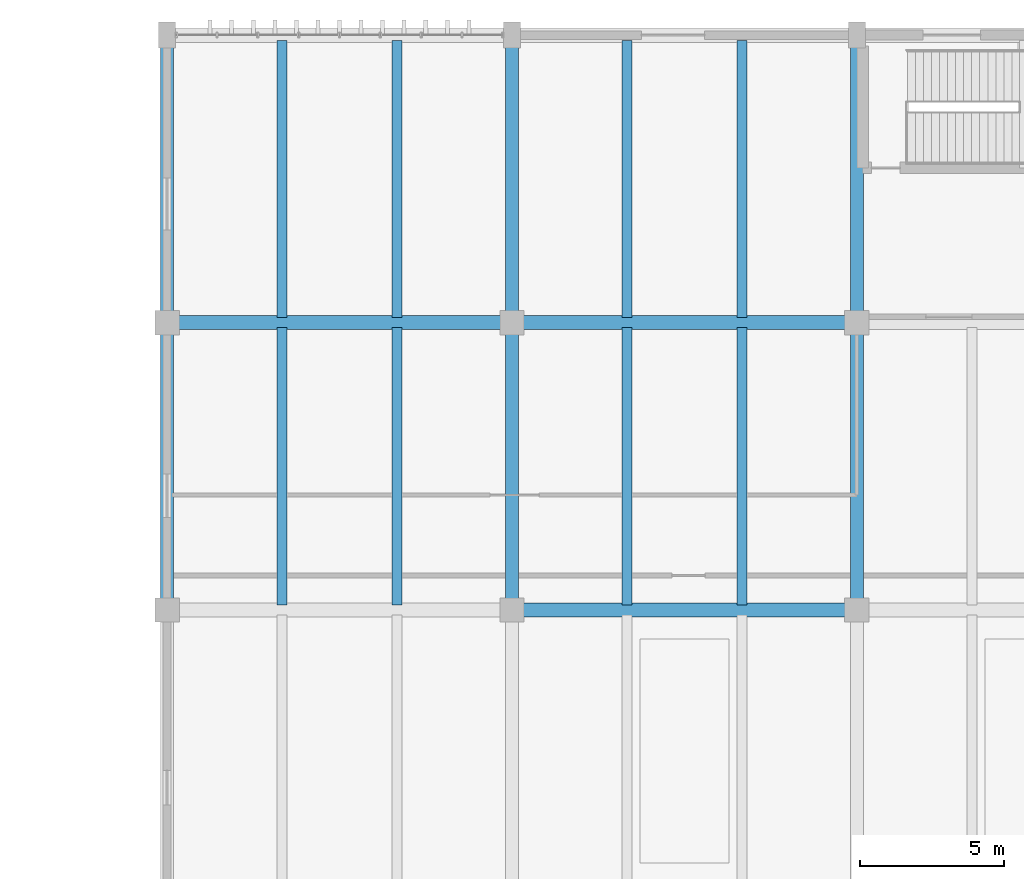
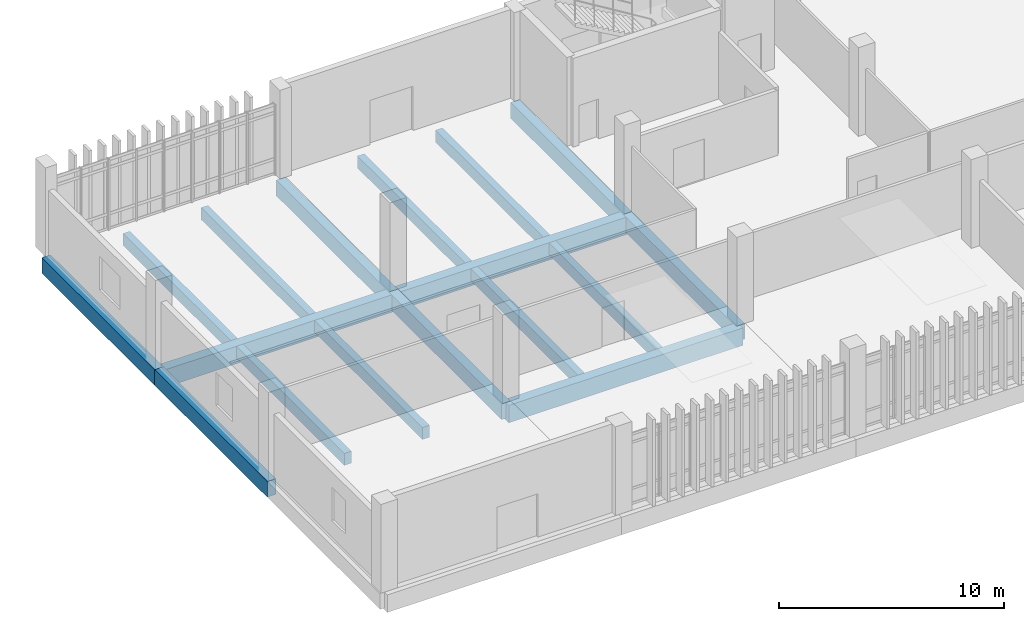
# One storey, part 36 of 87: 17 beams.
"""IFC4 building model written with IfcOpenShell, lengths in metres."""

import ifcopenshell
import ifcopenshell.guid

model = None  # the IFC model being written
_history = None  # IfcOwnerHistory: only IFC2X3 demands one
_inside = {}  # id of a spatial element -> (the spatial element, [elements in it])
_under = {}  # id of a project, library or spatial element -> (it, [spatial elements below it])
_declared = {}  # id of a project -> (the project, [libraries it declares])
_typed = {}  # id of a type object -> (the type object, [elements of that type])
_made_of = {}  # id of a material, layer set ... -> (it, [elements and type objects made of it])


def new_model(schema):
    """Start an empty IFC model of exactly this schema.

    Asked for "IFC4X3", IfcOpenShell would pick the latest addendum, in which some entities
    have other attributes; the version numbers below select the first issue.
    IFC2X3 requires an IfcOwnerHistory on every rooted entity: one is made here for all.
    """
    global model, _history
    if schema == "IFC4X3":
        model = ifcopenshell.file(schema_version=(4, 3, 0, 0))
    else:
        model = ifcopenshell.file(schema=schema)
    _inside.clear()
    _under.clear()
    _declared.clear()
    _typed.clear()
    _made_of.clear()
    _history = None
    if model.schema == "IFC2X3":
        org = make("IfcOrganization", Name="unknown")
        user = make(
            "IfcPersonAndOrganization",
            ThePerson=make("IfcPerson", FamilyName="unknown"),
            TheOrganization=org,
        )
        app = make(
            "IfcApplication",
            ApplicationDeveloper=org,
            Version="unknown",
            ApplicationFullName="unknown",
            ApplicationIdentifier="unknown",
        )
        _history = make(
            "IfcOwnerHistory",
            OwningUser=user,
            OwningApplication=app,
            ChangeAction="ADDED",
            CreationDate=0,
        )
    return model


def make(cls, **values):
    """One entity of the class cls with the attributes given. An attribute that is None is left unset."""
    return model.create_entity(
        cls, **{name: value for name, value in values.items() if value is not None}
    )


def rooted(cls, **values):
    """An entity with a GlobalId (a new one), such as an element, a storey or a relation."""
    return make(cls, GlobalId=ifcopenshell.guid.new(), OwnerHistory=_history, **values)


def si_unit(unit_type, name, prefix=None):
    """IfcSIUnit, for example si_unit("LENGTHUNIT", "METRE", prefix="MILLI")."""
    return make("IfcSIUnit", UnitType=unit_type, Prefix=prefix, Name=name)


def assignment(units):
    """IfcUnitAssignment: the units of a project."""
    return None if units is None else make("IfcUnitAssignment", Units=units)


def point(xyz):
    """IfcCartesianPoint."""
    return None if xyz is None else make("IfcCartesianPoint", Coordinates=xyz)


def direction(xyz):
    """IfcDirection."""
    return None if xyz is None else make("IfcDirection", DirectionRatios=xyz)


def frame(location, z_axis=None, x_axis=None):
    """IfcAxis2Placement3D, a coordinate frame: its origin and axes. An axis left out is left unset."""
    return make(
        "IfcAxis2Placement3D",
        Location=point(location),
        Axis=direction(z_axis),
        RefDirection=direction(x_axis),
    )


def frame_2d(location, x_axis=None):
    """IfcAxis2Placement2D, a coordinate frame in the plane: its origin and x axis."""
    return make(
        "IfcAxis2Placement2D", Location=point(location), RefDirection=direction(x_axis)
    )


def origin():
    """The frame at (0, 0, 0) with its axes left unset."""
    return frame((0.0, 0.0, 0.0))


def origin_2d():
    """The frame at (0, 0) in the plane with its x axis left unset."""
    return frame_2d((0.0, 0.0))


def place(relative_to, where):
    """IfcLocalPlacement: puts the frame where relative to a parent placement (None: the world)."""
    return make(
        "IfcLocalPlacement", PlacementRelTo=relative_to, RelativePlacement=where
    )


def context(
    kind, dimensions, precision=None, world=None, true_north=None, identifier=None
):
    """IfcGeometricRepresentationContext, for example the 3D "Model" context."""
    return make(
        "IfcGeometricRepresentationContext",
        ContextIdentifier=identifier,
        ContextType=kind,
        CoordinateSpaceDimension=dimensions,
        Precision=precision,
        WorldCoordinateSystem=world,
        TrueNorth=true_north,
    )


def subcontext(parent, identifier, kind, view, scale=None):
    """IfcGeometricRepresentationSubContext, for example "Body" below "Model"."""
    return make(
        "IfcGeometricRepresentationSubContext",
        ContextIdentifier=identifier,
        ContextType=kind,
        ParentContext=parent,
        TargetScale=scale,
        TargetView=view,
    )


def project(units=None, contexts=None):
    """IfcProject with its units and contexts."""
    return rooted(
        "IfcProject",
        Name="project",
        RepresentationContexts=contexts,
        UnitsInContext=assignment(units),
    )


def spatial(cls, under=None, at=None, **own):
    """A site, building, storey or space (cls), placed at a placement, below another one or the project."""
    s = rooted(cls, ObjectPlacement=at, **own)
    if under is not None:
        _under.setdefault(under.id(), (under, []))[1].append(s)
    return s


def profile(cls, at=None, kind="AREA", **sizes):
    """A parametric profile (cls). Its sizes go by their IFC names, for example OverallWidth=200.0."""
    return make(cls, ProfileType=kind, Position=at, **sizes)


def rectangle(**sizes):
    """IfcRectangleProfileDef."""
    return profile("IfcRectangleProfileDef", **sizes)


def extrude(swept, where, along, depth):
    """IfcExtrudedAreaSolid: the profile swept, set in the frame where, extruded along a direction by depth."""
    return make(
        "IfcExtrudedAreaSolid",
        SweptArea=swept,
        Position=where,
        ExtrudedDirection=direction(along),
        Depth=depth,
    )


def shape(context_of_items, identifier, shape_type, items):
    """IfcShapeRepresentation: the items that make up one representation, for example the "Body"."""
    return make(
        "IfcShapeRepresentation",
        ContextOfItems=context_of_items,
        RepresentationIdentifier=identifier,
        RepresentationType=shape_type,
        Items=items,
    )


def material(Name=None, Category=None):
    """IfcMaterial."""
    return make("IfcMaterial", Name=Name, Category=Category)


def material_profile(
    of_material, cross_section, Name=None, Category=None, Priority=None
):
    """IfcMaterialProfile: a cross section and its material."""
    return make(
        "IfcMaterialProfile",
        Name=Name,
        Material=of_material,
        Profile=cross_section,
        Priority=Priority,
        Category=Category,
    )


def profile_set(profiles, Name=None, composite=None):
    """IfcMaterialProfileSet."""
    return make(
        "IfcMaterialProfileSet",
        Name=Name,
        MaterialProfiles=profiles,
        CompositeProfile=composite,
    )


def made_of(thing, what):
    """Note that an element or type object is made of a material, layer set ...; save() writes the relation."""
    if what is not None:
        _made_of.setdefault(what.id(), (what, []))[1].append(thing)
    return thing


def type_object(cls, material=None, **own):
    """A type object (cls), such as IfcWallType, which elements share."""
    return made_of(rooted(cls, **own), material)


def element(
    cls,
    number,
    at=None,
    inside=None,
    cuts=None,
    type_object=None,
    material=None,
    context=None,
    identifier="Body",
    shape_type=None,
    held_by="IfcProductDefinitionShape",
    body=None,
    shapes=None,
    **own,
):
    """One element of the class cls, such as IfcWall. Its Tag is "e" and its number.

    at: its placement. inside: the storey or other place that contains it. cuts: it is an
    opening in that element (IfcRelVoidsElement). A single representation is given by context,
    identifier, shape_type and body (its items); several are given by shapes. held_by: the class
    of the entity that holds the representations. save() writes the other relations.
    """
    e = rooted(cls, Tag="e%d" % number, ObjectPlacement=at, **own)
    if body is not None:
        shapes = [shape(context, identifier, shape_type, body)]
    if shapes is not None:
        e.Representation = make(held_by, Representations=shapes)
    if inside is not None:
        _inside.setdefault(inside.id(), (inside, []))[1].append(e)
    if cuts is not None:
        rooted(
            "IfcRelVoidsElement", RelatingBuildingElement=cuts, RelatedOpeningElement=e
        )
    if type_object is not None:
        _typed.setdefault(type_object.id(), (type_object, []))[1].append(e)
    return made_of(e, material)


def aggregate(whole, parts):
    """IfcRelAggregates: a whole, such as a stair, and the parts it consists of."""
    return rooted("IfcRelAggregates", RelatingObject=whole, RelatedObjects=parts)


def save(model, path):
    """Write the relations noted so far, then the file.

    IfcRelAggregates (storeys below a building ...), IfcRelContainedInSpatialStructure (elements
    in a storey), IfcRelDefinesByType, IfcRelAssociatesMaterial and IfcRelDeclares: one each for
    every whole, place, type object, material and project.
    """
    for whole, parts in _under.values():
        aggregate(whole, parts)
    for where, things in _inside.values():
        rooted(
            "IfcRelContainedInSpatialStructure",
            RelatedElements=things,
            RelatingStructure=where,
        )
    for kind, things in _typed.values():
        rooted("IfcRelDefinesByType", RelatedObjects=things, RelatingType=kind)
    for what, things in _made_of.values():
        rooted("IfcRelAssociatesMaterial", RelatedObjects=things, RelatingMaterial=what)
    for by, libraries in _declared.values():
        rooted("IfcRelDeclares", RelatingContext=by, RelatedDefinitions=libraries)
    model.write(path)


model = new_model("IFC4")

# Units and contexts
model_context = context("Model", 3, precision=1e-05, world=origin(), true_north=direction((0.0, 1.0)))
body_context = subcontext(model_context, "Body", "Model", "MODEL_VIEW")
ifc_project = project(units=[si_unit("LENGTHUNIT", "METRE"), si_unit("AREAUNIT", "SQUARE_METRE"), si_unit("VOLUMEUNIT", "CUBIC_METRE"), si_unit("PLANEANGLEUNIT", "RADIAN"), si_unit("MASSUNIT", "GRAM", prefix="KILO")], contexts=[model_context])

# Site, building, storey
site_placement = place(None, origin())
site = spatial("IfcSite", under=ifc_project, at=site_placement, CompositionType="ELEMENT")
building_placement = place(site_placement, origin())
building = spatial("IfcBuilding", under=site, at=building_placement, Name="Mersad Railyard Sports Hall", CompositionType="ELEMENT")
storey_placement = place(building_placement, origin())
storey = spatial("IfcBuildingStorey", under=building, at=storey_placement, Name="L00", CompositionType="ELEMENT", Elevation=0.0)

# Beams
ifc_material_1 = material(Name="Concrete C40/50", Category="concrete")
ifc_material_profile_1 = material_profile(ifc_material_1, rectangle(XDim=0.449951171875, YDim=0.85009765625, at=origin_2d()), Name="RC 450x850")
ifc_profile_set_1 = profile_set([ifc_material_profile_1], Name="Concrete C40/50")
beam_type_1 = type_object("IfcBeamType", Name="STR-BM-B02", PredefinedType="BEAM", material=ifc_profile_set_1)
for number, where, z_axis, x_axis, name in (
    (1, (43.0, 95.0, -0.77490234375), (0.0, 1.0, 0.0), (-1.0, 0.0, 0.0), "Beam B02-0175"),
    (2, (43.0, 105.0, -0.77490234375), (0.0, 1.0, 0.0), (-1.0, 0.0, 0.0), "Beam B02-0176"),
    (3, (55.0, 95.0, -0.77490234375), (0.0, 1.0, 0.0), (-1.0, 0.0, 0.0), "Beam B02-0178"),
    (4, (55.0, 105.0, -0.77490234375), (0.0, 1.0, 0.0), (-1.0, 0.0, 0.0), "Beam B02-0179"),
    (5, (67.0, 95.0, -0.77490234375), (0.0, 1.0, 0.0), (-1.0, 0.0, 0.0), "Beam B02-0181"),
    (6, (67.0, 105.0, -0.77490234375), (0.0, 1.0, 0.0), (-1.0, 0.0, 0.0), "Beam B02-0182"),
):
    element("IfcBeam", number, at=place(storey_placement, frame(where, z_axis=z_axis, x_axis=x_axis)), inside=storey, type_object=beam_type_1, Name=name, PredefinedType="BEAM", context=body_context, shape_type="SweptSolid", body=[
        extrude(rectangle(XDim=0.449951171875, YDim=0.85009765625, at=origin_2d()), origin(), (0.0, 0.0, 1.0), 10.0),
    ])
ifc_material_2 = material(Name="Concrete C50/60", Category="concrete")
ifc_material_profile_2 = material_profile(ifc_material_2, rectangle(XDim=0.5, YDim=0.949951171875, at=origin_2d()), Name="RC 500x950")
ifc_profile_set_2 = profile_set([ifc_material_profile_2], Name="Concrete C50/60")
beam_type_2 = type_object("IfcBeamType", Name="STR-BM-B03", PredefinedType="BEAM", material=ifc_profile_set_2)
for number, where, z_axis, x_axis, name in (
    (7, (55.0, 95.0, -0.824951171875), (1.0, 0.0, 0.0), (0.0, 1.0, 0.0), "Beam B03-0151"),
    (8, (43.0, 105.0, -0.824951171875), (1.0, 0.0, 0.0), (0.0, 1.0, 0.0), "Beam B03-0158"),
    (9, (55.0, 105.0, -0.824951171875), (1.0, 0.0, 0.0), (0.0, 1.0, 0.0), "Beam B03-0159"),
):
    element("IfcBeam", number, at=place(storey_placement, frame(where, z_axis=z_axis, x_axis=x_axis)), inside=storey, type_object=beam_type_2, Name=name, PredefinedType="BEAM", context=body_context, shape_type="SweptSolid", body=[
        extrude(rectangle(XDim=0.5, YDim=0.949951171875, at=origin_2d()), origin(), (0.0, 0.0, 1.0), 12.0),
    ])
ifc_material_profile_3 = material_profile(ifc_material_1, rectangle(XDim=0.35009765625, YDim=0.64990234375, at=origin_2d()), Name="RC 350x650")
ifc_profile_set_3 = profile_set([ifc_material_profile_3], Name="Concrete C40/50")
beam_type_3 = type_object("IfcBeamType", Name="STR-BM-J01", PredefinedType="JOIST", material=ifc_profile_set_3)
for number, where, z_axis, x_axis, name in (
    (10, (47.0, 95.179931640625, -0.675048828125), (0.0, 1.0, 0.0), (-1.0, 0.0, 0.0), "Beam J01-0225"),
    (11, (51.0, 95.179931640625, -0.675048828125), (0.0, 1.0, 0.0), (-1.0, 0.0, 0.0), "Beam J01-0226"),
    (12, (47.0, 105.179931640625, -0.675048828125), (0.0, 1.0, 0.0), (-1.0, 0.0, 0.0), "Beam J01-0227"),
    (13, (51.0, 105.179931640625, -0.675048828125), (0.0, 1.0, 0.0), (-1.0, 0.0, 0.0), "Beam J01-0228"),
    (14, (59.0, 95.179931640625, -0.675048828125), (0.0, 1.0, 0.0), (-1.0, 0.0, 0.0), "Beam J01-0231"),
    (15, (63.0, 95.179931640625, -0.675048828125), (0.0, 1.0, 0.0), (-1.0, 0.0, 0.0), "Beam J01-0232"),
    (16, (59.0, 105.179931640625, -0.675048828125), (0.0, 1.0, 0.0), (-1.0, 0.0, 0.0), "Beam J01-0233"),
    (17, (63.0, 105.179931640625, -0.675048828125), (0.0, 1.0, 0.0), (-1.0, 0.0, 0.0), "Beam J01-0234"),
):
    element("IfcBeam", number, at=place(storey_placement, frame(where, z_axis=z_axis, x_axis=x_axis)), inside=storey, type_object=beam_type_3, Name=name, PredefinedType="JOIST", context=body_context, shape_type="SweptSolid", body=[
        extrude(rectangle(XDim=0.35009765625, YDim=0.64990234375, at=origin_2d()), origin(), (0.0, 0.0, 1.0), 9.64013671875),
    ])

save(model, "model.ifc")
